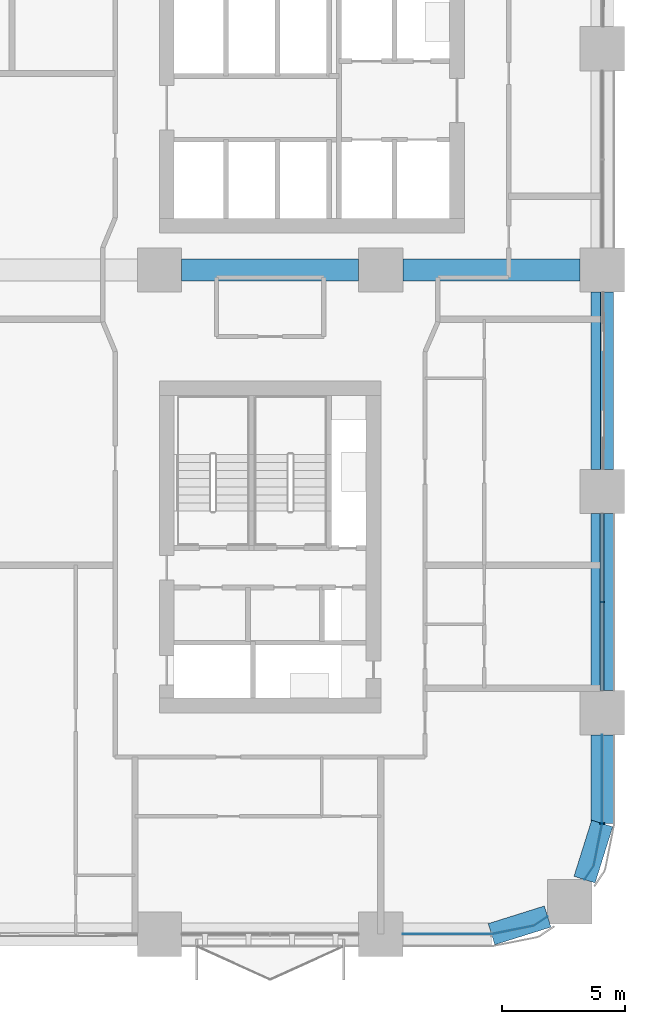
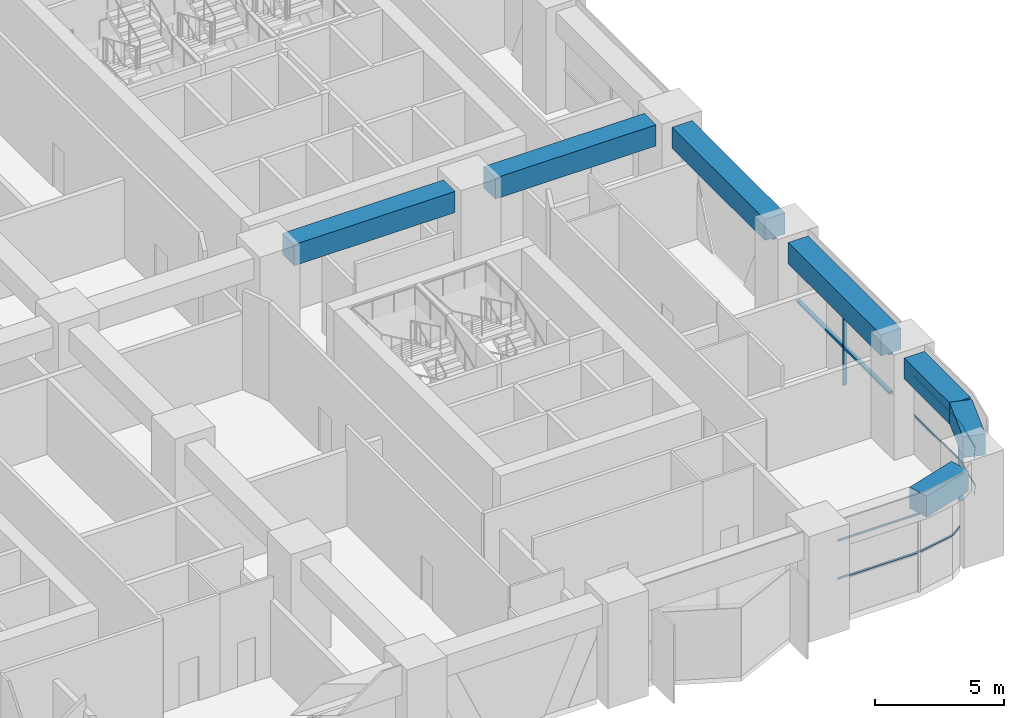
# One storey, part 6 of 26: 9 members, 7 beams, 4 elements without a shape of their own.
"""IFC4 building model written with IfcOpenShell, lengths in metres."""

from ifc_helpers import new_model, si_unit, direction, frame, origin, origin_2d, place, context, subcontext, project, spatial, polyline, rectangle, outline, extrude, material, material_profile, profile_set, type_object, element, aggregate, save


model = new_model("IFC4")

# Units and contexts
model_context = context("Model", 3, precision=1e-05, world=origin(), true_north=direction((0.0, 1.0)))
body_context = subcontext(model_context, "Body", "Model", "MODEL_VIEW")
ifc_project = project(units=[si_unit("LENGTHUNIT", "METRE"), si_unit("AREAUNIT", "SQUARE_METRE"), si_unit("VOLUMEUNIT", "CUBIC_METRE"), si_unit("PLANEANGLEUNIT", "RADIAN"), si_unit("MASSUNIT", "GRAM", prefix="KILO")], contexts=[model_context])

# Site, building, storey
site_placement = place(None, origin())
site = spatial("IfcSite", under=ifc_project, at=site_placement, CompositionType="ELEMENT")
building_placement = place(site_placement, origin())
building = spatial("IfcBuilding", under=site, at=building_placement, Name="Tessera Arch", CompositionType="ELEMENT")
storey_placement = place(building_placement, frame((0.0, 0.0, 72.800048828125)))
storey = spatial("IfcBuildingStorey", under=building, at=storey_placement, Name="L16", CompositionType="ELEMENT", Elevation=72.800048828125)

# Curtain wall, members
ifc_material_1 = material(Name="CW1 curtain wall")
curtain_wall_type_1 = type_object("IfcCurtainWallType", Name="CW1 curtain wall", PredefinedType="NOTDEFINED", material=ifc_material_1)
curtain_wall_1_placement = place(storey_placement, origin())
curtain_wall_1 = element("IfcCurtainWall", 1, at=curtain_wall_1_placement, inside=storey, type_object=curtain_wall_type_1, Name="CW1 curtain wall E54.0/1 L16", PredefinedType="NOTDEFINED")
ifc_material_2 = material(Name="Anodised aluminium pale metal", Category="aluminium")
ifc_material_profile_1 = material_profile(ifc_material_2, rectangle(XDim=0.159912109375, YDim=0.06005859375, at=origin_2d()), Name="AL 60x160")
ifc_profile_set_1 = profile_set([ifc_material_profile_1], Name="Anodised aluminium pale metal")
member_type_1 = type_object("IfcMemberType", Name="CW1 mullion", PredefinedType="MULLION", material=ifc_profile_set_1)
member_1_placement = place(storey_placement, frame((54.0, 13.5, 0.0), z_axis=(0.0, 0.0, 1.0), x_axis=(-1.0, 0.0, 0.0)))
member_1 = element("IfcMember", 2, at=member_1_placement, type_object=member_type_1, Name="CW1 mullion E54.0/1 1", PredefinedType="MULLION", context=body_context, shape_type="SweptSolid", body=[
    extrude(rectangle(XDim=0.159912109375, YDim=0.06005859375, at=origin_2d()), origin(), (0.0, 0.0, 1.0), 3.599853515625),
])
ifc_material_3 = material(Name="Anodised aluminium pale metal", Category="aluminium")
ifc_material_profile_2 = material_profile(ifc_material_3, rectangle(XDim=0.159912109375, YDim=0.10009765625, at=origin_2d()), Name="AL 160x100")
ifc_profile_set_2 = profile_set([ifc_material_profile_2], Name="Anodised aluminium pale metal")
member_type_2 = type_object("IfcMemberType", Name="CW1 transom", PredefinedType="USERDEFINED", material=ifc_profile_set_2)
member_2_placement = place(storey_placement, frame((54.0, 9.89990234375, 3.64990234375), z_axis=(0.0, 1.0, 0.0), x_axis=(-1.0, 0.0, 0.0)))
member_2 = element("IfcMember", 3, at=member_2_placement, type_object=member_type_2, Name="CW1 transom E54.0/1 1.1", ObjectType="TRANSOM", PredefinedType="USERDEFINED", context=body_context, shape_type="SweptSolid", body=[
    extrude(rectangle(XDim=0.159912109375, YDim=0.10009765625, at=origin_2d()), origin(), (0.0, 0.0, 1.0), 7.2001953125),
])
member_3_placement = place(storey_placement, frame((54.0, 9.89990234375, 1.800048828125), z_axis=(0.0, 1.0, 0.0), x_axis=(-1.0, 0.0, 0.0)))
member_3 = element("IfcMember", 4, at=member_3_placement, type_object=member_type_2, Name="CW1 transom E54.0/1 2.1", ObjectType="TRANSOM", PredefinedType="USERDEFINED", context=body_context, shape_type="SweptSolid", body=[
    extrude(rectangle(XDim=0.159912109375, YDim=0.10009765625, at=origin_2d()), origin(), (0.0, 0.0, 1.0), 7.2001953125),
])
aggregate(curtain_wall_1, [member_1, member_2, member_3])

# Curtain wall, member
ifc_material_4 = material(Name="CW2 curtain wall")
curtain_wall_type_2 = type_object("IfcCurtainWallType", Name="CW2 curtain wall", PredefinedType="NOTDEFINED", material=ifc_material_4)
curtain_wall_2_placement = place(storey_placement, origin())
curtain_wall_2 = element("IfcCurtainWall", 5, at=curtain_wall_2_placement, inside=storey, type_object=curtain_wall_type_2, Name="CW2 curtain wall E54.0/0 L16", PredefinedType="NOTDEFINED")
ifc_material_5 = material(Name="Anodised aluminium pale metal", Category="aluminium")
ifc_material_profile_3 = material_profile(ifc_material_5, rectangle(XDim=0.199951171875, YDim=0.080078125, at=origin_2d()), Name="AL 80x200")
ifc_profile_set_3 = profile_set([ifc_material_profile_3], Name="Anodised aluminium pale metal")
member_type_3 = type_object("IfcMemberType", Name="CW2 mullion", PredefinedType="MULLION", material=ifc_profile_set_3)
member_4_placement = place(storey_placement, frame((54.0, 4.5, 0.0), z_axis=(0.0, 0.0, 1.0), x_axis=(-1.0, 0.0, 0.0)))
member_4 = element("IfcMember", 6, at=member_4_placement, type_object=member_type_3, Name="CW2 mullion E54.0/0 1", PredefinedType="MULLION", context=body_context, shape_type="SweptSolid", body=[
    extrude(rectangle(XDim=0.199951171875, YDim=0.080078125, at=origin_2d()), origin(), (0.0, 0.0, 1.0), 3.599853515625),
])

# Curtain wall, members
curtain_wall_3_placement = place(storey_placement, origin())
curtain_wall_3 = element("IfcCurtainWall", 7, at=curtain_wall_3_placement, inside=storey, type_object=curtain_wall_type_2, Name="CW2 curtain wall S0.0/4 L16", PredefinedType="NOTDEFINED")
ifc_material_6 = material(Name="Anodised aluminium pale metal", Category="aluminium")
ifc_material_profile_4 = material_profile(ifc_material_6, rectangle(XDim=0.199951171875, YDim=0.10009765625, at=origin_2d()), Name="AL 200x100")
ifc_profile_set_4 = profile_set([ifc_material_profile_4], Name="Anodised aluminium pale metal")
member_type_4 = type_object("IfcMemberType", Name="CW2 transom", PredefinedType="USERDEFINED", material=ifc_profile_set_4)
member_5_placement = place(storey_placement, frame((0.0, 0.0, 1.800048828125)))
member_5 = element("IfcMember", 8, at=member_5_placement, type_object=member_type_4, Name="CW2 transom S0.0/4 1", ObjectType="TRANSOM", PredefinedType="USERDEFINED", context=body_context, shape_type="SweptSolid", body=[
    extrude(outline(polyline([(49.4990234375, 0.010009765625), (45.89990234375, 0.010009765625), (45.89990234375, -0.010009765625), (49.5009765625, -0.010009765625), (51.22607421875, 0.3330078125), (51.78759765625, 0.70849609375), (51.7763671875, 0.72509765625), (51.21826171875, 0.351806640625), (49.4990234375, 0.010009765625)])), origin(), (0.0, 0.0, 1.0), 0.099853515625),
])
member_6_placement = place(storey_placement, frame((0.0, 0.0, 3.599853515625)))
member_6 = element("IfcMember", 9, at=member_6_placement, type_object=member_type_4, Name="CW2 transom S0.0/4 2", ObjectType="TRANSOM", PredefinedType="USERDEFINED", context=body_context, shape_type="SweptSolid", body=[
    extrude(outline(polyline([(49.4990234375, 0.010009765625), (45.89990234375, 0.010009765625), (45.89990234375, -0.010009765625), (49.5009765625, -0.010009765625), (51.22607421875, 0.3330078125), (51.78759765625, 0.70849609375), (51.7763671875, 0.72509765625), (51.21826171875, 0.351806640625), (49.4990234375, 0.010009765625)])), origin(), (0.0, 0.0, 1.0), 0.10009765625),
])
aggregate(curtain_wall_3, [member_5, member_6])

# Member
member_7_placement = place(storey_placement, frame((0.0, 0.0, 1.800048828125)))
member_7 = element("IfcMember", 10, at=member_7_placement, type_object=member_type_4, Name="CW2 transom E54.0/0 1", ObjectType="TRANSOM", PredefinedType="USERDEFINED", context=body_context, shape_type="SweptSolid", body=[
    extrude(outline(polyline([(53.648193359375, 2.78173828125), (53.27490234375, 2.2236328125), (53.29150390625, 2.21240234375), (53.6669921875, 2.77392578125), (54.010009765625, 4.4990234375), (54.010009765625, 8.10009765625), (53.989990234375, 8.10009765625), (53.989990234375, 4.5009765625), (53.648193359375, 2.78173828125)])), origin(), (0.0, 0.0, 1.0), 0.099853515625),
])

member_8_placement = place(storey_placement, frame((0.0, 0.0, 3.599853515625)))
member_8 = element("IfcMember", 11, at=member_8_placement, type_object=member_type_4, Name="CW2 transom E54.0/0 2", ObjectType="TRANSOM", PredefinedType="USERDEFINED", context=body_context, shape_type="SweptSolid", body=[
    extrude(outline(polyline([(53.648193359375, 2.78173828125), (53.27490234375, 2.2236328125), (53.29150390625, 2.21240234375), (53.6669921875, 2.77392578125), (54.010009765625, 4.4990234375), (54.010009765625, 8.10009765625), (53.989990234375, 8.10009765625), (53.989990234375, 4.5009765625), (53.648193359375, 2.78173828125)])), origin(), (0.0, 0.0, 1.0), 0.10009765625),
])

aggregate(curtain_wall_2, [member_4, member_7, member_8])

# Curtain wall, member
ifc_material_7 = material(Name="CW3 curtain wall")
curtain_wall_type_3 = type_object("IfcCurtainWallType", Name="CW3 curtain wall", PredefinedType="NOTDEFINED", material=ifc_material_7)
curtain_wall_4_placement = place(storey_placement, origin())
curtain_wall_4 = element("IfcCurtainWall", 12, at=curtain_wall_4_placement, inside=storey, type_object=curtain_wall_type_3, Name="CW3 curtain wall E54.0/2 L16", PredefinedType="NOTDEFINED")
ifc_material_8 = material(Name="Anodised aluminium pale metal", Category="aluminium")
ifc_material_profile_5 = material_profile(ifc_material_8, rectangle(XDim=0.139892578125, YDim=0.10009765625, at=origin_2d()), Name="AL 140x100")
ifc_profile_set_5 = profile_set([ifc_material_profile_5], Name="Anodised aluminium pale metal")
member_type_5 = type_object("IfcMemberType", Name="CW3 transom", PredefinedType="USERDEFINED", material=ifc_profile_set_5)
member_9_placement = place(storey_placement, frame((54.0, 18.89990234375, 3.64990234375), z_axis=(0.0, 1.0, 0.0), x_axis=(-1.0, 0.0, 0.0)))
member_9 = element("IfcMember", 13, at=member_9_placement, type_object=member_type_5, Name="CW3 transom E54.0/2 1.1", ObjectType="TRANSOM", PredefinedType="USERDEFINED", context=body_context, shape_type="SweptSolid", body=[
    extrude(rectangle(XDim=0.139892578125, YDim=0.10009765625, at=origin_2d()), origin(), (0.0, 0.0, 1.0), 7.2001953125),
])
aggregate(curtain_wall_4, [member_9])

# Beams
ifc_material_9 = material(Name="Concrete C80/95", Category="concrete")
ifc_material_profile_6 = material_profile(ifc_material_9, rectangle(XDim=0.89990234375, YDim=1.0, at=origin_2d()), Name="RC spandrel beam 900 x 1000 Concrete C80/95")
ifc_profile_set_6 = profile_set([ifc_material_profile_6], Name="Concrete C80/95")
beam_type = type_object("IfcBeamType", Name="RC spandrel beam 900 x 1000 Concrete C80/95", PredefinedType="BEAM", material=ifc_profile_set_6)
for number, where, z_axis, x_axis, name in (
    (14, (49.5, 0.0, 4.199951171875), (0.954041251279, 0.299675309057, 0.0), (-0.299675309057, 0.954041251279, 0.0), "Spandrel beam L16 S0.0/4.2"),
    (15, (53.283203125, 2.218017578125, 4.199951171875), (0.299675309057, 0.954041251279, 0.0), (-0.954041251279, 0.299675309057, 0.0), "Spandrel beam L16 E54.0/0.1"),
):
    element("IfcBeam", number, at=place(storey_placement, frame(where, z_axis=z_axis, x_axis=x_axis)), inside=storey, type_object=beam_type, Name=name, PredefinedType="BEAM", context=body_context, shape_type="SweptSolid", body=[
        extrude(rectangle(XDim=0.89990234375, YDim=1.0, at=origin_2d()), origin(), (0.0, 0.0, 1.0), 2.391845703125),
    ])
beam_placement = place(storey_placement, frame((54.0, 4.5, 4.199951171875), z_axis=(0.0, 1.0, 0.0), x_axis=(-1.0, 0.0, 0.0)))
element("IfcBeam", 16, at=beam_placement, inside=storey, type_object=beam_type, Name="Spandrel beam L16 E54.0/0.2", PredefinedType="BEAM", context=body_context, shape_type="SweptSolid", body=[
    extrude(rectangle(XDim=0.89990234375, YDim=1.0, at=origin_2d()), origin(), (0.0, 0.0, 1.0), 3.60009765625),
])
for number, where, z_axis, x_axis, name in (
    (17, (54.0, 9.89990234375, 4.199951171875), (0.0, 1.0, 0.0), (-1.0, 0.0, 0.0), "Spandrel beam L16 E54.0/1"),
    (18, (54.0, 18.89990234375, 4.199951171875), (0.0, 1.0, 0.0), (-1.0, 0.0, 0.0), "Spandrel beam L16 E54.0/2"),
    (19, (36.89990234375, 27.0, 4.199951171875), (1.0, 0.0, 0.0), (0.0, 1.0, 0.0), "Interface beam L16 I1C5D-C6D"),
    (20, (45.89990234375, 27.0, 4.199951171875), (1.0, 0.0, 0.0), (0.0, 1.0, 0.0), "Interface beam L16 I1C6D-C7D"),
):
    element("IfcBeam", number, at=place(storey_placement, frame(where, z_axis=z_axis, x_axis=x_axis)), inside=storey, type_object=beam_type, Name=name, PredefinedType="BEAM", context=body_context, shape_type="SweptSolid", body=[
        extrude(rectangle(XDim=0.89990234375, YDim=1.0, at=origin_2d()), origin(), (0.0, 0.0, 1.0), 7.2001953125),
    ])

save(model, "model.ifc")
